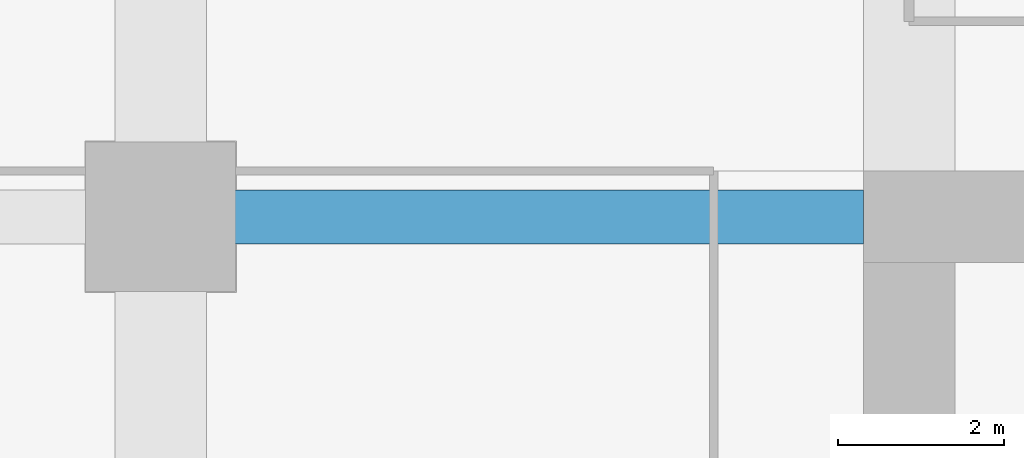
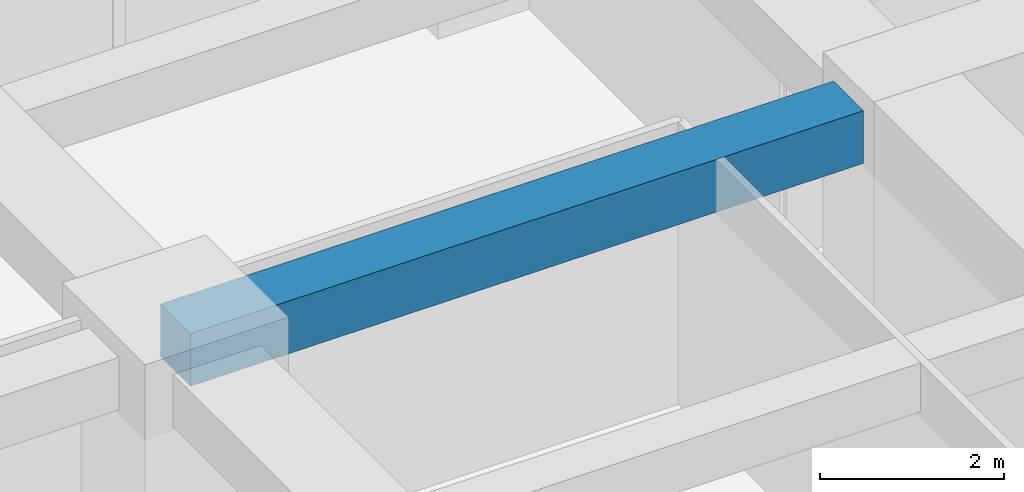
# One storey, part 25 of 40: 1 beam.
"""IFC4 building model written with IfcOpenShell, lengths in metres."""

import ifcopenshell
import ifcopenshell.guid

model = None  # the IFC model being written
_history = None  # IfcOwnerHistory: only IFC2X3 demands one
_inside = {}  # id of a spatial element -> (the spatial element, [elements in it])
_under = {}  # id of a project, library or spatial element -> (it, [spatial elements below it])
_declared = {}  # id of a project -> (the project, [libraries it declares])
_typed = {}  # id of a type object -> (the type object, [elements of that type])
_made_of = {}  # id of a material, layer set ... -> (it, [elements and type objects made of it])


def new_model(schema):
    """Start an empty IFC model of exactly this schema.

    Asked for "IFC4X3", IfcOpenShell would pick the latest addendum, in which some entities
    have other attributes; the version numbers below select the first issue.
    IFC2X3 requires an IfcOwnerHistory on every rooted entity: one is made here for all.
    """
    global model, _history
    if schema == "IFC4X3":
        model = ifcopenshell.file(schema_version=(4, 3, 0, 0))
    else:
        model = ifcopenshell.file(schema=schema)
    _inside.clear()
    _under.clear()
    _declared.clear()
    _typed.clear()
    _made_of.clear()
    _history = None
    if model.schema == "IFC2X3":
        org = make("IfcOrganization", Name="unknown")
        user = make(
            "IfcPersonAndOrganization",
            ThePerson=make("IfcPerson", FamilyName="unknown"),
            TheOrganization=org,
        )
        app = make(
            "IfcApplication",
            ApplicationDeveloper=org,
            Version="unknown",
            ApplicationFullName="unknown",
            ApplicationIdentifier="unknown",
        )
        _history = make(
            "IfcOwnerHistory",
            OwningUser=user,
            OwningApplication=app,
            ChangeAction="ADDED",
            CreationDate=0,
        )
    return model


def make(cls, **values):
    """One entity of the class cls with the attributes given. An attribute that is None is left unset."""
    return model.create_entity(
        cls, **{name: value for name, value in values.items() if value is not None}
    )


def rooted(cls, **values):
    """An entity with a GlobalId (a new one), such as an element, a storey or a relation."""
    return make(cls, GlobalId=ifcopenshell.guid.new(), OwnerHistory=_history, **values)


def si_unit(unit_type, name, prefix=None):
    """IfcSIUnit, for example si_unit("LENGTHUNIT", "METRE", prefix="MILLI")."""
    return make("IfcSIUnit", UnitType=unit_type, Prefix=prefix, Name=name)


def assignment(units):
    """IfcUnitAssignment: the units of a project."""
    return None if units is None else make("IfcUnitAssignment", Units=units)


def point(xyz):
    """IfcCartesianPoint."""
    return None if xyz is None else make("IfcCartesianPoint", Coordinates=xyz)


def direction(xyz):
    """IfcDirection."""
    return None if xyz is None else make("IfcDirection", DirectionRatios=xyz)


def frame(location, z_axis=None, x_axis=None):
    """IfcAxis2Placement3D, a coordinate frame: its origin and axes. An axis left out is left unset."""
    return make(
        "IfcAxis2Placement3D",
        Location=point(location),
        Axis=direction(z_axis),
        RefDirection=direction(x_axis),
    )


def frame_2d(location, x_axis=None):
    """IfcAxis2Placement2D, a coordinate frame in the plane: its origin and x axis."""
    return make(
        "IfcAxis2Placement2D", Location=point(location), RefDirection=direction(x_axis)
    )


def origin():
    """The frame at (0, 0, 0) with its axes left unset."""
    return frame((0.0, 0.0, 0.0))


def origin_2d():
    """The frame at (0, 0) in the plane with its x axis left unset."""
    return frame_2d((0.0, 0.0))


def place(relative_to, where):
    """IfcLocalPlacement: puts the frame where relative to a parent placement (None: the world)."""
    return make(
        "IfcLocalPlacement", PlacementRelTo=relative_to, RelativePlacement=where
    )


def context(
    kind, dimensions, precision=None, world=None, true_north=None, identifier=None
):
    """IfcGeometricRepresentationContext, for example the 3D "Model" context."""
    return make(
        "IfcGeometricRepresentationContext",
        ContextIdentifier=identifier,
        ContextType=kind,
        CoordinateSpaceDimension=dimensions,
        Precision=precision,
        WorldCoordinateSystem=world,
        TrueNorth=true_north,
    )


def subcontext(parent, identifier, kind, view, scale=None):
    """IfcGeometricRepresentationSubContext, for example "Body" below "Model"."""
    return make(
        "IfcGeometricRepresentationSubContext",
        ContextIdentifier=identifier,
        ContextType=kind,
        ParentContext=parent,
        TargetScale=scale,
        TargetView=view,
    )


def project(units=None, contexts=None):
    """IfcProject with its units and contexts."""
    return rooted(
        "IfcProject",
        Name="project",
        RepresentationContexts=contexts,
        UnitsInContext=assignment(units),
    )


def spatial(cls, under=None, at=None, **own):
    """A site, building, storey or space (cls), placed at a placement, below another one or the project."""
    s = rooted(cls, ObjectPlacement=at, **own)
    if under is not None:
        _under.setdefault(under.id(), (under, []))[1].append(s)
    return s


def profile(cls, at=None, kind="AREA", **sizes):
    """A parametric profile (cls). Its sizes go by their IFC names, for example OverallWidth=200.0."""
    return make(cls, ProfileType=kind, Position=at, **sizes)


def rectangle(**sizes):
    """IfcRectangleProfileDef."""
    return profile("IfcRectangleProfileDef", **sizes)


def extrude(swept, where, along, depth):
    """IfcExtrudedAreaSolid: the profile swept, set in the frame where, extruded along a direction by depth."""
    return make(
        "IfcExtrudedAreaSolid",
        SweptArea=swept,
        Position=where,
        ExtrudedDirection=direction(along),
        Depth=depth,
    )


def shape(context_of_items, identifier, shape_type, items):
    """IfcShapeRepresentation: the items that make up one representation, for example the "Body"."""
    return make(
        "IfcShapeRepresentation",
        ContextOfItems=context_of_items,
        RepresentationIdentifier=identifier,
        RepresentationType=shape_type,
        Items=items,
    )


def material(Name=None, Category=None):
    """IfcMaterial."""
    return make("IfcMaterial", Name=Name, Category=Category)


def material_profile(
    of_material, cross_section, Name=None, Category=None, Priority=None
):
    """IfcMaterialProfile: a cross section and its material."""
    return make(
        "IfcMaterialProfile",
        Name=Name,
        Material=of_material,
        Profile=cross_section,
        Priority=Priority,
        Category=Category,
    )


def profile_set(profiles, Name=None, composite=None):
    """IfcMaterialProfileSet."""
    return make(
        "IfcMaterialProfileSet",
        Name=Name,
        MaterialProfiles=profiles,
        CompositeProfile=composite,
    )


def made_of(thing, what):
    """Note that an element or type object is made of a material, layer set ...; save() writes the relation."""
    if what is not None:
        _made_of.setdefault(what.id(), (what, []))[1].append(thing)
    return thing


def type_object(cls, material=None, **own):
    """A type object (cls), such as IfcWallType, which elements share."""
    return made_of(rooted(cls, **own), material)


def element(
    cls,
    number,
    at=None,
    inside=None,
    cuts=None,
    type_object=None,
    material=None,
    context=None,
    identifier="Body",
    shape_type=None,
    held_by="IfcProductDefinitionShape",
    body=None,
    shapes=None,
    **own,
):
    """One element of the class cls, such as IfcWall. Its Tag is "e" and its number.

    at: its placement. inside: the storey or other place that contains it. cuts: it is an
    opening in that element (IfcRelVoidsElement). A single representation is given by context,
    identifier, shape_type and body (its items); several are given by shapes. held_by: the class
    of the entity that holds the representations. save() writes the other relations.
    """
    e = rooted(cls, Tag="e%d" % number, ObjectPlacement=at, **own)
    if body is not None:
        shapes = [shape(context, identifier, shape_type, body)]
    if shapes is not None:
        e.Representation = make(held_by, Representations=shapes)
    if inside is not None:
        _inside.setdefault(inside.id(), (inside, []))[1].append(e)
    if cuts is not None:
        rooted(
            "IfcRelVoidsElement", RelatingBuildingElement=cuts, RelatedOpeningElement=e
        )
    if type_object is not None:
        _typed.setdefault(type_object.id(), (type_object, []))[1].append(e)
    return made_of(e, material)


def aggregate(whole, parts):
    """IfcRelAggregates: a whole, such as a stair, and the parts it consists of."""
    return rooted("IfcRelAggregates", RelatingObject=whole, RelatedObjects=parts)


def save(model, path):
    """Write the relations noted so far, then the file.

    IfcRelAggregates (storeys below a building ...), IfcRelContainedInSpatialStructure (elements
    in a storey), IfcRelDefinesByType, IfcRelAssociatesMaterial and IfcRelDeclares: one each for
    every whole, place, type object, material and project.
    """
    for whole, parts in _under.values():
        aggregate(whole, parts)
    for where, things in _inside.values():
        rooted(
            "IfcRelContainedInSpatialStructure",
            RelatedElements=things,
            RelatingStructure=where,
        )
    for kind, things in _typed.values():
        rooted("IfcRelDefinesByType", RelatedObjects=things, RelatingType=kind)
    for what, things in _made_of.values():
        rooted("IfcRelAssociatesMaterial", RelatedObjects=things, RelatingMaterial=what)
    for by, libraries in _declared.values():
        rooted("IfcRelDeclares", RelatingContext=by, RelatedDefinitions=libraries)
    model.write(path)


model = new_model("IFC4")

# Units and contexts
model_context = context("Model", 3, precision=1e-05, world=origin(), true_north=direction((0.0, 1.0)))
body_context = subcontext(model_context, "Body", "Model", "MODEL_VIEW")
ifc_project = project(units=[si_unit("LENGTHUNIT", "METRE"), si_unit("AREAUNIT", "SQUARE_METRE"), si_unit("VOLUMEUNIT", "CUBIC_METRE"), si_unit("PLANEANGLEUNIT", "RADIAN"), si_unit("MASSUNIT", "GRAM", prefix="KILO")], contexts=[model_context])

# Site, building, storey
site_placement = place(None, origin())
site = spatial("IfcSite", under=ifc_project, at=site_placement, CompositionType="ELEMENT")
building_placement = place(site_placement, origin())
building = spatial("IfcBuilding", under=site, at=building_placement, Name="Zorevar Civic Tower", CompositionType="ELEMENT")
storey_placement = place(building_placement, frame((0.0, 0.0, 133.0)))
storey = spatial("IfcBuildingStorey", under=building, at=storey_placement, Name="L32", CompositionType="ELEMENT", Elevation=133.0)

# Beam
ifc_material = material(Name="Concrete C50/60", Category="concrete")
ifc_material_profile = material_profile(ifc_material, rectangle(XDim=0.64990234375, YDim=0.699951171875, at=origin_2d()), Name="RC 650x700")
ifc_profile_set = profile_set([ifc_material_profile], Name="Concrete C50/60")
beam_type = type_object("IfcBeamType", Name="Beam RC 650x700", PredefinedType="BEAM", material=ifc_profile_set)
beam_placement = place(storey_placement, frame((9.0, 36.0, 3.39990234375), z_axis=(1.0, 0.0, 0.0), x_axis=(0.0, 1.0, 0.0)))
element("IfcBeam", 1, at=beam_placement, inside=storey, type_object=beam_type, Name="Girder L33", PredefinedType="BEAM", context=body_context, shape_type="SweptSolid", body=[
    extrude(rectangle(XDim=0.64990234375, YDim=0.699951171875, at=origin_2d()), origin(), (0.0, 0.0, 1.0), 8.449951171875),
])

save(model, "model.ifc")
